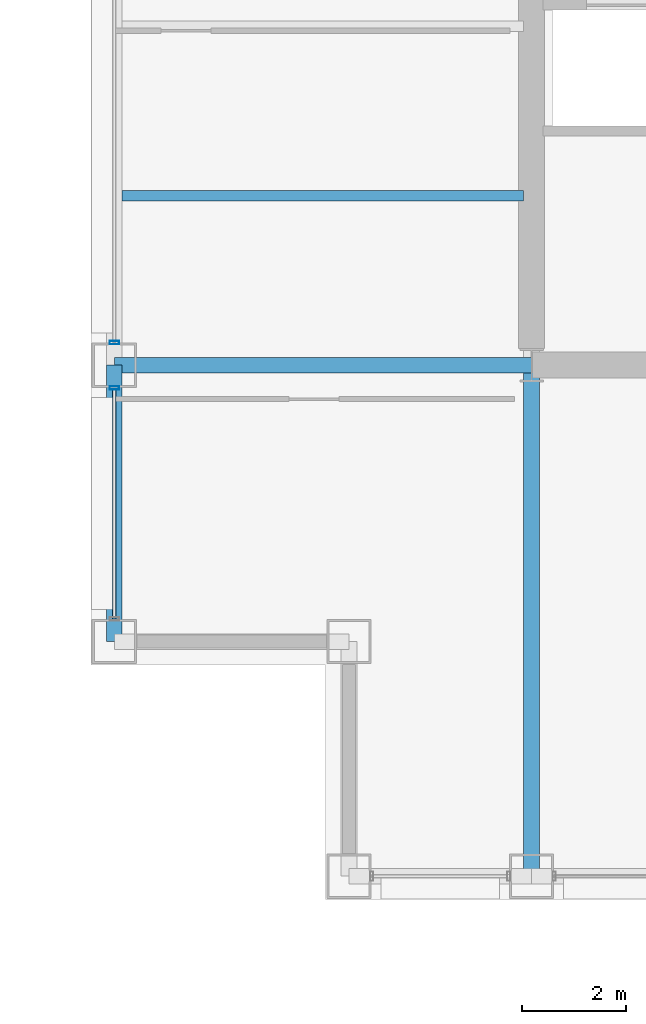
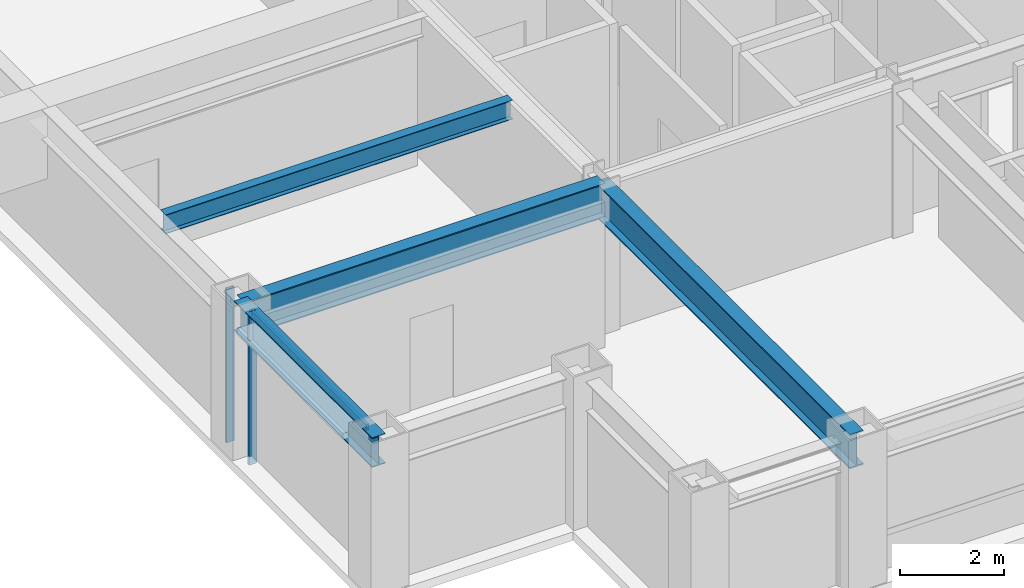
# One storey, part 3 of 28: 4 beams, 3 members, 2 elements without a shape of their own.
"""IFC4 building model written with IfcOpenShell, lengths in metres."""

from ifc_helpers import new_model, si_unit, direction, frame, origin, origin_2d, place, context, subcontext, project, spatial, hollow_rectangle, i_section, extrude, material, layer, layer_set, material_profile, profile_set, type_object, element, aggregate, save


model = new_model("IFC4")

# Units and contexts
model_context = context("Model", 3, precision=1e-05, world=origin(), true_north=direction((0.0, 1.0)))
body_context = subcontext(model_context, "Body", "Model", "MODEL_VIEW")
ifc_project = project(units=[si_unit("LENGTHUNIT", "METRE"), si_unit("AREAUNIT", "SQUARE_METRE"), si_unit("VOLUMEUNIT", "CUBIC_METRE"), si_unit("PLANEANGLEUNIT", "RADIAN"), si_unit("MASSUNIT", "GRAM", prefix="KILO")], contexts=[model_context])

# Site, building, storey
site_placement = place(None, origin())
site = spatial("IfcSite", under=ifc_project, at=site_placement, CompositionType="ELEMENT")
building_placement = place(site_placement, origin())
building = spatial("IfcBuilding", under=site, at=building_placement, Name="Brelmoor Portico Tower", CompositionType="ELEMENT")
storey_placement = place(building_placement, frame((0.0, 0.0, 91.800048828125)))
storey = spatial("IfcBuildingStorey", under=building, at=storey_placement, Name="L23", CompositionType="ELEMENT", Elevation=91.800048828125)

# Beams
ifc_material_1 = material(Name="Steel Q355B", Category="steel")
ifc_material_profile_1 = material_profile(ifc_material_1, i_section(OverallWidth=0.199951171875, OverallDepth=0.449951171875, WebThickness=0.009033203125, FlangeThickness=0.013916015625, at=origin_2d()), Name="HN 450x200x9x14")
ifc_profile_set_1 = profile_set([ifc_material_profile_1], Name="Steel Q355B")
beam_type_1 = type_object("IfcBeamType", Name="BM-JS-450", PredefinedType="JOIST", material=ifc_profile_set_1)
beam_1_placement = place(storey_placement, frame((-22.39990234375, -6.5, 3.175048828125), z_axis=(1.0, 0.0, 0.0), x_axis=(0.0, 1.0, 0.0)))
element("IfcBeam", 1, at=beam_1_placement, inside=storey, type_object=beam_type_1, Name="L23 Secondary Wing Joist JS-W05", PredefinedType="JOIST", context=body_context, shape_type="SweptSolid", body=[
    extrude(i_section(OverallWidth=0.199951171875, OverallDepth=0.449951171875, WebThickness=0.009033203125, FlangeThickness=0.013916015625, at=origin_2d()), origin(), (0.0, 0.0, 1.0), 7.699951171875),
])
ifc_material_profile_2 = material_profile(ifc_material_1, i_section(OverallWidth=0.300048828125, OverallDepth=0.800048828125, WebThickness=0.013916015625, FlangeThickness=0.02587890625, at=origin_2d()), Name="HN 800x300x14x26")
ifc_profile_set_2 = profile_set([ifc_material_profile_2], Name="Steel Q355B")
beam_type_2 = type_object("IfcBeamType", Name="BM-PG-800", PredefinedType="BEAM", material=ifc_profile_set_2)
beam_2_placement = place(storey_placement, frame((-14.550048828125, -19.550048828125, 3.0), z_axis=(0.0, 1.0, 0.0), x_axis=(-1.0, 0.0, 0.0)))
element("IfcBeam", 2, at=beam_2_placement, inside=storey, type_object=beam_type_2, Name="L23 Primary Floor Girder PG-01", PredefinedType="BEAM", context=body_context, shape_type="SweptSolid", body=[
    extrude(i_section(OverallWidth=0.300048828125, OverallDepth=0.800048828125, WebThickness=0.013916015625, FlangeThickness=0.02587890625, at=origin_2d()), origin(), (0.0, 0.0, 1.0), 9.800048828125),
])
beam_3_placement = place(storey_placement, frame((-22.550048828125, -9.75, 3.0), z_axis=(1.0, 0.0, 0.0), x_axis=(0.0, 1.0, 0.0)))
element("IfcBeam", 3, at=beam_3_placement, inside=storey, type_object=beam_type_2, Name="L23 Primary Floor Girder PG-13", PredefinedType="BEAM", context=body_context, shape_type="SweptSolid", body=[
    extrude(i_section(OverallWidth=0.300048828125, OverallDepth=0.800048828125, WebThickness=0.013916015625, FlangeThickness=0.02587890625, at=origin_2d()), origin(), (0.0, 0.0, 1.0), 8.0),
])
ifc_material_profile_3 = material_profile(ifc_material_1, i_section(OverallWidth=0.300048828125, OverallDepth=0.699951171875, WebThickness=0.012939453125, FlangeThickness=0.02392578125, at=origin_2d()), Name="HN 700x300x13x24")
ifc_profile_set_3 = profile_set([ifc_material_profile_3], Name="Steel Q355B")
beam_type_3 = type_object("IfcBeamType", Name="BM-SP-700", PredefinedType="SPANDREL", material=ifc_profile_set_3)
beam_4_placement = place(storey_placement, frame((-22.550048828125, -15.050048828125, 3.050048828125), z_axis=(0.0, 1.0, 0.0), x_axis=(-1.0, 0.0, 0.0)))
element("IfcBeam", 4, at=beam_4_placement, inside=storey, type_object=beam_type_3, Name="L23 Perimeter Spandrel Beam SP-15", PredefinedType="SPANDREL", context=body_context, shape_type="SweptSolid", body=[
    extrude(i_section(OverallWidth=0.300048828125, OverallDepth=0.699951171875, WebThickness=0.012939453125, FlangeThickness=0.02392578125, at=origin_2d()), origin(), (0.0, 0.0, 1.0), 5.300048828125),
])

# Curtain wall, member
ifc_material_2 = material(Name="Anodised Aluminium Alloy 6063-T6", Category="aluminium")
ifc_layer = layer(ifc_material_2, 0.179931640625)
ifc_layer_set = layer_set([ifc_layer], Name="Anodised Aluminium Alloy 6063-T6")
curtain_wall_type = type_object("IfcCurtainWallType", Name="CW-TOWER-Z2-XB", PredefinedType="NOTDEFINED", material=ifc_layer_set)
curtain_wall_1_placement = place(storey_placement, origin())
curtain_wall_1 = element("IfcCurtainWall", 5, at=curtain_wall_1_placement, inside=storey, type_object=curtain_wall_type, Name="L23 Curtain Wall CW-L23-03-1", PredefinedType="NOTDEFINED")
ifc_material_profile_4 = material_profile(ifc_material_2, hollow_rectangle(XDim=0.06494140625, YDim=0.179931640625, WallThickness=0.00390625, at=origin_2d()), Name="ALU MULLION 65x180")
ifc_profile_set_4 = profile_set([ifc_material_profile_4], Name="Anodised Aluminium Alloy 6063-T6")
member_type_1 = type_object("IfcMemberType", Name="MB-CW-MULL-180", PredefinedType="MULLION", material=ifc_profile_set_4)
member_1_placement = place(storey_placement, frame((-22.550048828125, -10.18505859375, -0.199951171875), z_axis=(0.0, 0.0, 1.0), x_axis=(0.0, 1.0, 0.0)))
member_1 = element("IfcMember", 6, at=member_1_placement, type_object=member_type_1, Name="CW-L23-03-1 Mullion 01", PredefinedType="MULLION", context=body_context, shape_type="SweptSolid", body=[
    extrude(hollow_rectangle(XDim=0.06494140625, YDim=0.179931640625, WallThickness=0.00390625, at=origin_2d()), origin(), (0.0, 0.0, 1.0), 3.599853515625),
])

curtain_wall_2_placement = place(storey_placement, origin())
curtain_wall_2 = element("IfcCurtainWall", 7, at=curtain_wall_2_placement, inside=storey, type_object=curtain_wall_type, Name="L23 Curtain Wall CW-L23-03-2", PredefinedType="NOTDEFINED")
member_2_placement = place(storey_placement, frame((-22.550048828125, -9.31494140625, -0.199951171875), z_axis=(0.0, 0.0, 1.0), x_axis=(0.0, 1.0, 0.0)))
member_2 = element("IfcMember", 8, at=member_2_placement, type_object=member_type_1, Name="CW-L23-03-2 Mullion 00", PredefinedType="MULLION", context=body_context, shape_type="SweptSolid", body=[
    extrude(hollow_rectangle(XDim=0.06494140625, YDim=0.179931640625, WallThickness=0.00390625, at=origin_2d()), origin(), (0.0, 0.0, 1.0), 3.599853515625),
])
aggregate(curtain_wall_2, [member_2])

# Member
ifc_material_profile_5 = material_profile(ifc_material_2, hollow_rectangle(XDim=0.06494140625, YDim=0.139892578125, WallThickness=0.00390625, at=origin_2d()), Name="ALU TRANSOM 65x140")
ifc_profile_set_5 = profile_set([ifc_material_profile_5], Name="Anodised Aluminium Alloy 6063-T6")
member_type_2 = type_object("IfcMemberType", Name="MB-CW-TRAN-140", PredefinedType="USERDEFINED", material=ifc_profile_set_5)
member_3_placement = place(storey_placement, frame((-22.550048828125, -14.614990234375, 3.329833984375), z_axis=(0.0, 1.0, 0.0), x_axis=(-1.0, 0.0, 0.0)))
member_3 = element("IfcMember", 9, at=member_3_placement, type_object=member_type_2, Name="CW-L23-03-1 Transom 1-00", ObjectType="TRANSOM", PredefinedType="USERDEFINED", context=body_context, shape_type="SweptSolid", body=[
    extrude(hollow_rectangle(XDim=0.06494140625, YDim=0.139892578125, WallThickness=0.00390625, at=origin_2d()), origin(), (0.0, 0.0, 1.0), 4.429931640625),
])

aggregate(curtain_wall_1, [member_1, member_3])

save(model, "model.ifc")
